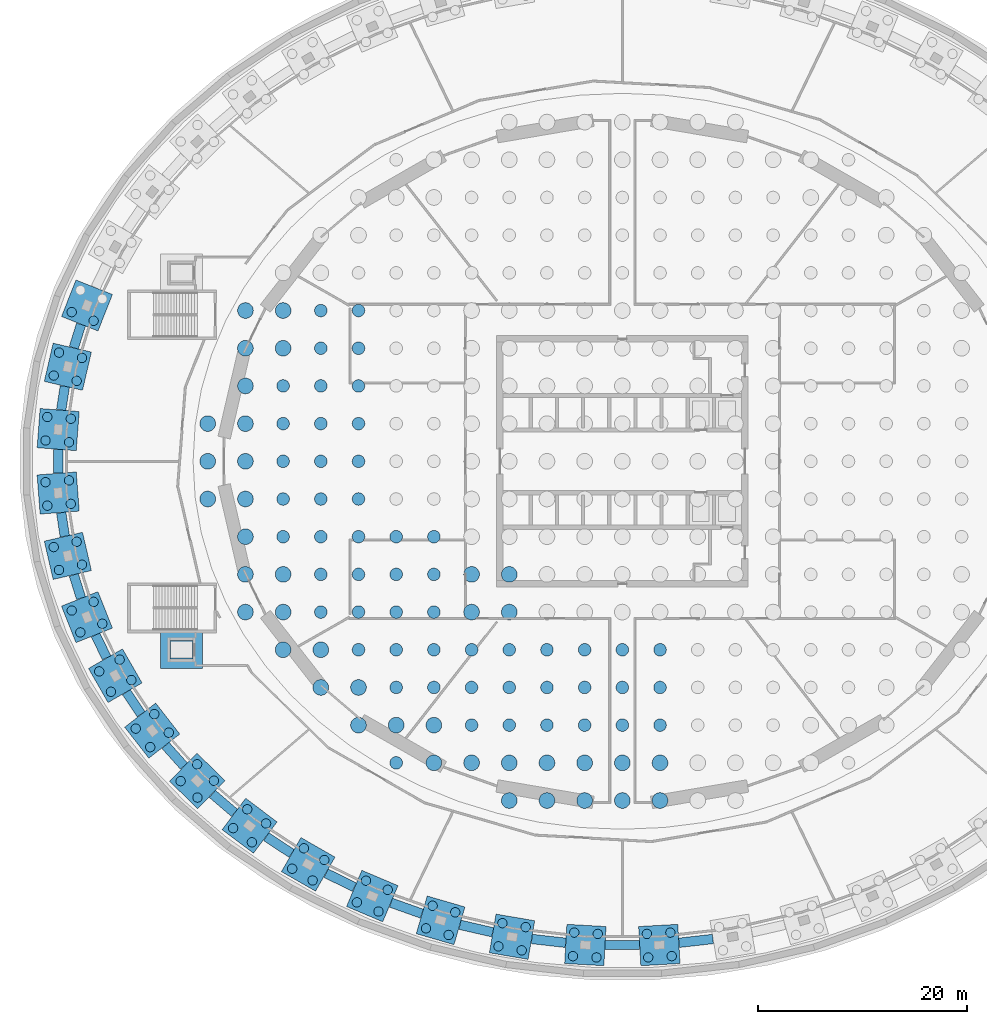
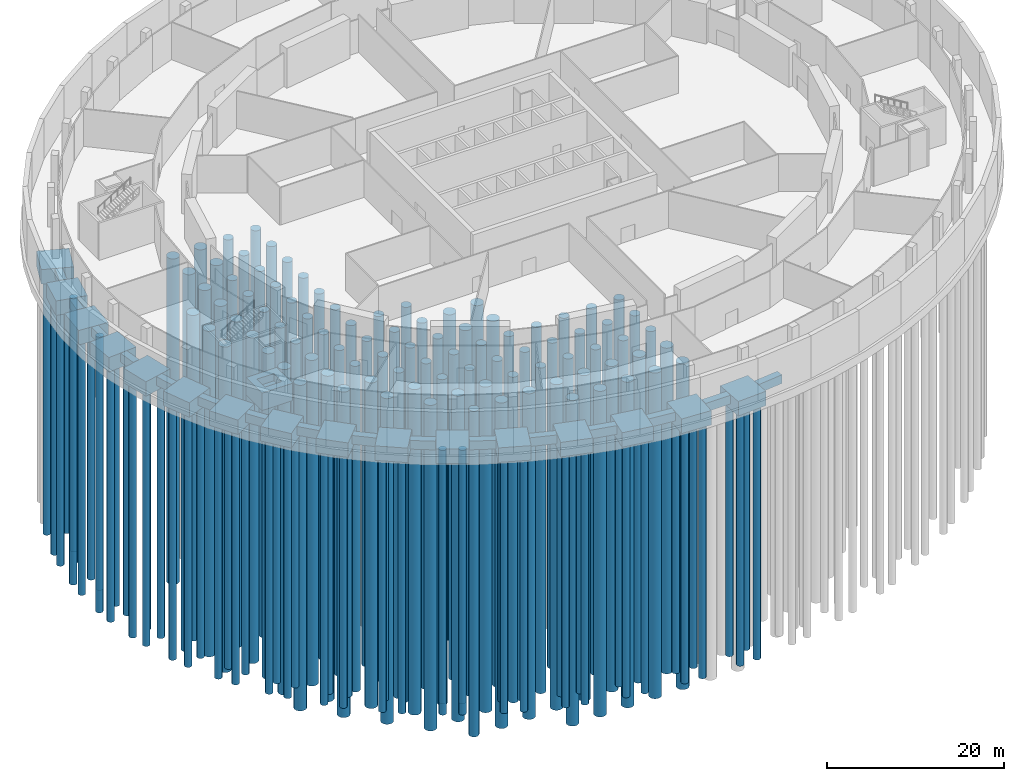
# One storey, part 1 of 15: 154 piles, 34 footings.
"""IFC4 building model written with IfcOpenShell, lengths in metres."""

from ifc_helpers import new_model, si_unit, direction, frame, origin, origin_2d, place, context, subcontext, project, spatial, polyline, rectangle, circle, outline, extrude, material, layer, layer_set, material_profile, profile_set, type_object, element, save


model = new_model("IFC4")

# Units and contexts
model_context = context("Model", 3, precision=1e-05, world=origin(), true_north=direction((0.0, 1.0)))
body_context = subcontext(model_context, "Body", "Model", "MODEL_VIEW")
ifc_project = project(units=[si_unit("LENGTHUNIT", "METRE"), si_unit("AREAUNIT", "SQUARE_METRE"), si_unit("VOLUMEUNIT", "CUBIC_METRE"), si_unit("PLANEANGLEUNIT", "RADIAN"), si_unit("MASSUNIT", "GRAM", prefix="KILO")], contexts=[model_context])

# Site, building, storey
site_placement = place(None, origin())
site = spatial("IfcSite", under=ifc_project, at=site_placement, CompositionType="ELEMENT")
building_placement = place(site_placement, origin())
building = spatial("IfcBuilding", under=site, at=building_placement, Name="Halqa Exchange Tower", CompositionType="ELEMENT")
storey_placement = place(building_placement, frame((0.0, 0.0, -15.0)))
storey = spatial("IfcBuildingStorey", under=building, at=storey_placement, Name="B3", CompositionType="ELEMENT", Elevation=-15.0)

# Piles
ifc_material_1 = material(Name="Concrete C35/45", Category="concrete")
ifc_material_profile_1 = material_profile(ifc_material_1, circle(Radius=0.60009765625, at=origin_2d()), Name="D1200")
ifc_profile_set_1 = profile_set([ifc_material_profile_1], Name="Concrete C35/45")
pile_type_1 = type_object("IfcPileType", Name="Bored pile D1200", PredefinedType="BORED", material=ifc_profile_set_1)
for number, where, z_axis, x_axis, name in (
    (1, (-21.60009765625, -28.800048828125, -4.89990234375), (0.0, 0.0, -1.0), (1.0, 0.0, 0.0), "Raft pile"),
    (2, (-14.39990234375, -25.199951171875, -4.89990234375), (0.0, 0.0, -1.0), (1.0, 0.0, 0.0), "Raft pile"),
    (3, (-10.800048828125, -25.199951171875, -4.89990234375), (0.0, 0.0, -1.0), (1.0, 0.0, 0.0), "Raft pile"),
    (4, (-7.199951171875, -25.199951171875, -4.89990234375), (0.0, 0.0, -1.0), (1.0, 0.0, 0.0), "Raft pile"),
    (5, (-3.60009765625, -25.199951171875, -4.89990234375), (0.0, 0.0, -1.0), (1.0, 0.0, 0.0), "Raft pile"),
    (6, (0.0, -25.199951171875, -4.89990234375), (0.0, 0.0, -1.0), (1.0, 0.0, 0.0), "Raft pile"),
    (7, (3.60009765625, -25.199951171875, -4.89990234375), (0.0, 0.0, -1.0), (1.0, 0.0, 0.0), "Raft pile"),
    (8, (-21.60009765625, -21.60009765625, -4.89990234375), (0.0, 0.0, -1.0), (1.0, 0.0, 0.0), "Raft pile"),
    (9, (-18.0, -21.60009765625, -4.89990234375), (0.0, 0.0, -1.0), (1.0, 0.0, 0.0), "Raft pile"),
    (10, (-14.39990234375, -21.60009765625, -4.89990234375), (0.0, 0.0, -1.0), (1.0, 0.0, 0.0), "Raft pile"),
    (11, (-10.800048828125, -21.60009765625, -4.89990234375), (0.0, 0.0, -1.0), (1.0, 0.0, 0.0), "Raft pile"),
    (12, (-7.199951171875, -21.60009765625, -4.89990234375), (0.0, 0.0, -1.0), (1.0, 0.0, 0.0), "Raft pile"),
    (13, (-3.60009765625, -21.60009765625, -4.89990234375), (0.0, 0.0, -1.0), (1.0, 0.0, 0.0), "Raft pile"),
    (14, (0.0, -21.60009765625, -4.89990234375), (0.0, 0.0, -1.0), (1.0, 0.0, 0.0), "Raft pile"),
    (15, (3.60009765625, -21.60009765625, -4.89990234375), (0.0, 0.0, -1.0), (1.0, 0.0, 0.0), "Raft pile"),
    (16, (-25.199951171875, -18.0, -4.89990234375), (0.0, 0.0, -1.0), (1.0, 0.0, 0.0), "Raft pile"),
    (17, (-21.60009765625, -18.0, -4.89990234375), (0.0, 0.0, -1.0), (1.0, 0.0, 0.0), "Raft pile"),
    (18, (-18.0, -18.0, -4.89990234375), (0.0, 0.0, -1.0), (1.0, 0.0, 0.0), "Raft pile"),
    (19, (-14.39990234375, -18.0, -4.89990234375), (0.0, 0.0, -1.0), (1.0, 0.0, 0.0), "Raft pile"),
    (20, (-10.800048828125, -18.0, -4.89990234375), (0.0, 0.0, -1.0), (1.0, 0.0, 0.0), "Raft pile"),
    (21, (-7.199951171875, -18.0, -4.89990234375), (0.0, 0.0, -1.0), (1.0, 0.0, 0.0), "Raft pile"),
    (22, (-3.60009765625, -18.0, -4.89990234375), (0.0, 0.0, -1.0), (1.0, 0.0, 0.0), "Raft pile"),
    (23, (0.0, -18.0, -4.89990234375), (0.0, 0.0, -1.0), (1.0, 0.0, 0.0), "Raft pile"),
    (24, (3.60009765625, -18.0, -4.89990234375), (0.0, 0.0, -1.0), (1.0, 0.0, 0.0), "Raft pile"),
    (25, (-28.800048828125, -14.39990234375, -4.89990234375), (0.0, 0.0, -1.0), (1.0, 0.0, 0.0), "Raft pile"),
    (26, (-25.199951171875, -14.39990234375, -4.89990234375), (0.0, 0.0, -1.0), (1.0, 0.0, 0.0), "Raft pile"),
    (27, (-21.60009765625, -14.39990234375, -4.89990234375), (0.0, 0.0, -1.0), (1.0, 0.0, 0.0), "Raft pile"),
    (28, (-18.0, -14.39990234375, -4.89990234375), (0.0, 0.0, -1.0), (1.0, 0.0, 0.0), "Raft pile"),
    (29, (-28.800048828125, -10.800048828125, -4.89990234375), (0.0, 0.0, -1.0), (1.0, 0.0, 0.0), "Raft pile"),
    (30, (-25.199951171875, -10.800048828125, -4.89990234375), (0.0, 0.0, -1.0), (1.0, 0.0, 0.0), "Raft pile"),
    (31, (-21.60009765625, -10.800048828125, -4.89990234375), (0.0, 0.0, -1.0), (1.0, 0.0, 0.0), "Raft pile"),
    (32, (-18.0, -10.800048828125, -4.89990234375), (0.0, 0.0, -1.0), (1.0, 0.0, 0.0), "Raft pile"),
    (33, (-32.39990234375, -7.199951171875, -4.89990234375), (0.0, 0.0, -1.0), (1.0, 0.0, 0.0), "Raft pile"),
    (34, (-28.800048828125, -7.199951171875, -4.89990234375), (0.0, 0.0, -1.0), (1.0, 0.0, 0.0), "Raft pile"),
    (35, (-25.199951171875, -7.199951171875, -4.89990234375), (0.0, 0.0, -1.0), (1.0, 0.0, 0.0), "Raft pile"),
    (36, (-21.60009765625, -7.199951171875, -4.89990234375), (0.0, 0.0, -1.0), (1.0, 0.0, 0.0), "Raft pile"),
    (37, (-18.0, -7.199951171875, -4.89990234375), (0.0, 0.0, -1.0), (1.0, 0.0, 0.0), "Raft pile"),
    (38, (-32.39990234375, -3.60009765625, -4.89990234375), (0.0, 0.0, -1.0), (1.0, 0.0, 0.0), "Raft pile"),
    (39, (-28.800048828125, -3.60009765625, -4.89990234375), (0.0, 0.0, -1.0), (1.0, 0.0, 0.0), "Raft pile"),
    (40, (-25.199951171875, -3.60009765625, -4.89990234375), (0.0, 0.0, -1.0), (1.0, 0.0, 0.0), "Raft pile"),
    (41, (-32.39990234375, 0.0, -4.89990234375), (0.0, 0.0, -1.0), (1.0, 0.0, 0.0), "Raft pile"),
    (42, (-28.800048828125, 0.0, -4.89990234375), (0.0, 0.0, -1.0), (1.0, 0.0, 0.0), "Raft pile"),
    (43, (-25.199951171875, 0.0, -4.89990234375), (0.0, 0.0, -1.0), (1.0, 0.0, 0.0), "Raft pile"),
    (44, (-32.39990234375, 3.60009765625, -4.89990234375), (0.0, 0.0, -1.0), (1.0, 0.0, 0.0), "Raft pile"),
    (45, (-28.800048828125, 3.60009765625, -4.89990234375), (0.0, 0.0, -1.0), (1.0, 0.0, 0.0), "Raft pile"),
    (46, (-25.199951171875, 3.60009765625, -4.89990234375), (0.0, 0.0, -1.0), (1.0, 0.0, 0.0), "Raft pile"),
    (47, (-32.39990234375, 7.199951171875, -4.89990234375), (0.0, 0.0, -1.0), (1.0, 0.0, 0.0), "Raft pile"),
    (48, (-28.800048828125, 7.199951171875, -4.89990234375), (0.0, 0.0, -1.0), (1.0, 0.0, 0.0), "Raft pile"),
    (49, (-25.199951171875, 7.199951171875, -4.89990234375), (0.0, 0.0, -1.0), (1.0, 0.0, 0.0), "Raft pile"),
    (50, (-28.800048828125, 10.800048828125, -4.89990234375), (0.0, 0.0, -1.0), (1.0, 0.0, 0.0), "Raft pile"),
    (51, (-25.199951171875, 10.800048828125, -4.89990234375), (0.0, 0.0, -1.0), (1.0, 0.0, 0.0), "Raft pile"),
    (52, (-28.800048828125, 14.39990234375, -4.89990234375), (0.0, 0.0, -1.0), (1.0, 0.0, 0.0), "Raft pile"),
    (53, (-25.199951171875, 14.39990234375, -4.89990234375), (0.0, 0.0, -1.0), (1.0, 0.0, 0.0), "Raft pile"),
):
    element("IfcPile", number, at=place(storey_placement, frame(where, z_axis=z_axis, x_axis=x_axis)), inside=storey, type_object=pile_type_1, Name=name, PredefinedType="BORED", context=body_context, shape_type="SweptSolid", body=[
        extrude(circle(Radius=0.60009765625, at=origin_2d()), origin(), (0.0, 0.0, 1.0), 45.0),
    ])
ifc_material_profile_2 = material_profile(ifc_material_1, circle(Radius=0.75, at=origin_2d()), Name="D1500")
ifc_profile_set_2 = profile_set([ifc_material_profile_2], Name="Concrete C35/45")
pile_type_2 = type_object("IfcPileType", Name="Bored pile D1500", PredefinedType="BORED", material=ifc_profile_set_2)
for number, where, z_axis, x_axis, name in (
    (54, (-10.800048828125, -32.39990234375, -4.89990234375), (0.0, 0.0, -1.0), (1.0, 0.0, 0.0), "Raft pile"),
    (55, (-7.199951171875, -32.39990234375, -4.89990234375), (0.0, 0.0, -1.0), (1.0, 0.0, 0.0), "Raft pile"),
    (56, (-3.60009765625, -32.39990234375, -4.89990234375), (0.0, 0.0, -1.0), (1.0, 0.0, 0.0), "Raft pile"),
    (57, (0.0, -32.39990234375, -4.89990234375), (0.0, 0.0, -1.0), (1.0, 0.0, 0.0), "Raft pile"),
    (58, (3.60009765625, -32.39990234375, -4.89990234375), (0.0, 0.0, -1.0), (1.0, 0.0, 0.0), "Raft pile"),
    (59, (-18.0, -28.800048828125, -4.89990234375), (0.0, 0.0, -1.0), (1.0, 0.0, 0.0), "Raft pile"),
    (60, (-14.39990234375, -28.800048828125, -4.89990234375), (0.0, 0.0, -1.0), (1.0, 0.0, 0.0), "Raft pile"),
    (61, (-10.800048828125, -28.800048828125, -4.89990234375), (0.0, 0.0, -1.0), (1.0, 0.0, 0.0), "Raft pile"),
    (62, (-7.199951171875, -28.800048828125, -4.89990234375), (0.0, 0.0, -1.0), (1.0, 0.0, 0.0), "Raft pile"),
    (63, (-3.60009765625, -28.800048828125, -4.89990234375), (0.0, 0.0, -1.0), (1.0, 0.0, 0.0), "Raft pile"),
    (64, (0.0, -28.800048828125, -4.89990234375), (0.0, 0.0, -1.0), (1.0, 0.0, 0.0), "Raft pile"),
    (65, (3.60009765625, -28.800048828125, -4.89990234375), (0.0, 0.0, -1.0), (1.0, 0.0, 0.0), "Raft pile"),
    (66, (-25.199951171875, -25.199951171875, -4.89990234375), (0.0, 0.0, -1.0), (1.0, 0.0, 0.0), "Raft pile"),
    (67, (-21.60009765625, -25.199951171875, -4.89990234375), (0.0, 0.0, -1.0), (1.0, 0.0, 0.0), "Raft pile"),
    (68, (-18.0, -25.199951171875, -4.89990234375), (0.0, 0.0, -1.0), (1.0, 0.0, 0.0), "Raft pile"),
    (69, (-28.800048828125, -21.60009765625, -4.89990234375), (0.0, 0.0, -1.0), (1.0, 0.0, 0.0), "Raft pile"),
    (70, (-25.199951171875, -21.60009765625, -4.89990234375), (0.0, 0.0, -1.0), (1.0, 0.0, 0.0), "Raft pile"),
    (71, (-32.39990234375, -18.0, -4.89990234375), (0.0, 0.0, -1.0), (1.0, 0.0, 0.0), "Raft pile"),
    (72, (-28.800048828125, -18.0, -4.89990234375), (0.0, 0.0, -1.0), (1.0, 0.0, 0.0), "Raft pile"),
    (73, (-36.0, -14.39990234375, -4.89990234375), (0.0, 0.0, -1.0), (1.0, 0.0, 0.0), "Raft pile"),
    (74, (-32.39990234375, -14.39990234375, -4.89990234375), (0.0, 0.0, -1.0), (1.0, 0.0, 0.0), "Raft pile"),
    (75, (-14.39990234375, -14.39990234375, -4.89990234375), (0.0, 0.0, -1.0), (1.0, 0.0, 0.0), "Raft pile"),
    (76, (-10.800048828125, -14.39990234375, -4.89990234375), (0.0, 0.0, -1.0), (1.0, 0.0, 0.0), "Raft pile"),
    (77, (-36.0, -10.800048828125, -4.89990234375), (0.0, 0.0, -1.0), (1.0, 0.0, 0.0), "Raft pile"),
    (78, (-32.39990234375, -10.800048828125, -4.89990234375), (0.0, 0.0, -1.0), (1.0, 0.0, 0.0), "Raft pile"),
    (79, (-14.39990234375, -10.800048828125, -4.89990234375), (0.0, 0.0, -1.0), (1.0, 0.0, 0.0), "Raft pile"),
    (80, (-10.800048828125, -10.800048828125, -4.89990234375), (0.0, 0.0, -1.0), (1.0, 0.0, 0.0), "Raft pile"),
    (81, (-36.0, -7.199951171875, -4.89990234375), (0.0, 0.0, -1.0), (1.0, 0.0, 0.0), "Raft pile"),
    (82, (-39.60009765625, -3.60009765625, -4.89990234375), (0.0, 0.0, -1.0), (1.0, 0.0, 0.0), "Raft pile"),
    (83, (-36.0, -3.60009765625, -4.89990234375), (0.0, 0.0, -1.0), (1.0, 0.0, 0.0), "Raft pile"),
    (84, (-39.60009765625, 0.0, -4.89990234375), (0.0, 0.0, -1.0), (1.0, 0.0, 0.0), "Raft pile"),
    (85, (-36.0, 0.0, -4.89990234375), (0.0, 0.0, -1.0), (1.0, 0.0, 0.0), "Raft pile"),
    (86, (-39.60009765625, 3.60009765625, -4.89990234375), (0.0, 0.0, -1.0), (1.0, 0.0, 0.0), "Raft pile"),
    (87, (-36.0, 3.60009765625, -4.89990234375), (0.0, 0.0, -1.0), (1.0, 0.0, 0.0), "Raft pile"),
    (88, (-36.0, 7.199951171875, -4.89990234375), (0.0, 0.0, -1.0), (1.0, 0.0, 0.0), "Raft pile"),
    (89, (-36.0, 10.800048828125, -4.89990234375), (0.0, 0.0, -1.0), (1.0, 0.0, 0.0), "Raft pile"),
    (90, (-32.39990234375, 10.800048828125, -4.89990234375), (0.0, 0.0, -1.0), (1.0, 0.0, 0.0), "Raft pile"),
    (91, (-36.0, 14.39990234375, -4.89990234375), (0.0, 0.0, -1.0), (1.0, 0.0, 0.0), "Raft pile"),
    (92, (-32.39990234375, 14.39990234375, -4.89990234375), (0.0, 0.0, -1.0), (1.0, 0.0, 0.0), "Raft pile"),
):
    element("IfcPile", number, at=place(storey_placement, frame(where, z_axis=z_axis, x_axis=x_axis)), inside=storey, type_object=pile_type_2, Name=name, PredefinedType="BORED", context=body_context, shape_type="SweptSolid", body=[
        extrude(circle(Radius=0.75, at=origin_2d()), origin(), (0.0, 0.0, 1.0), 45.0),
    ])
ifc_material_profile_3 = material_profile(ifc_material_1, circle(Radius=0.449951171875, at=origin_2d()), Name="D900")
ifc_profile_set_3 = profile_set([ifc_material_profile_3], Name="Concrete C35/45")
pile_type_3 = type_object("IfcPileType", Name="Bored pile D900", PredefinedType="BORED", material=ifc_profile_set_3)
for number, where, z_axis, x_axis, name in (
    (93, (-52.59423828125, 14.250732421875, -2.39990234375), (0.0, 0.0, -1.0), (1.0, 0.0, 0.0), "Cap pile"),
    (94, (-50.502197265625, 13.422607421875, -2.39990234375), (0.0, 0.0, -1.0), (1.0, 0.0, 0.0), "Cap pile"),
    (95, (-53.803955078125, 10.3828125, -2.39990234375), (0.0, 0.0, -1.0), (1.0, 0.0, 0.0), "Cap pile"),
    (96, (-54.3125, 8.191162109375, -2.39990234375), (0.0, 0.0, -1.0), (1.0, 0.0, 0.0), "Cap pile"),
    (97, (-51.6123046875, 9.874267578125, -2.39990234375), (0.0, 0.0, -1.0), (1.0, 0.0, 0.0), "Cap pile"),
    (98, (-52.120849609375, 7.6826171875, -2.39990234375), (0.0, 0.0, -1.0), (1.0, 0.0, 0.0), "Cap pile"),
    (99, (-54.92041015625, 4.235595703125, -2.39990234375), (0.0, 0.0, -1.0), (1.0, 0.0, 0.0), "Cap pile"),
    (100, (-55.091796875, 1.9921875, -2.39990234375), (0.0, 0.0, -1.0), (1.0, 0.0, 0.0), "Cap pile"),
    (101, (-52.677001953125, 4.064208984375, -2.39990234375), (0.0, 0.0, -1.0), (1.0, 0.0, 0.0), "Cap pile"),
    (102, (-52.848388671875, 1.82080078125, -2.39990234375), (0.0, 0.0, -1.0), (1.0, 0.0, 0.0), "Cap pile"),
    (103, (-55.091796875, -1.9921875, -2.39990234375), (0.0, 0.0, -1.0), (1.0, 0.0, 0.0), "Cap pile"),
    (104, (-54.92041015625, -4.235595703125, -2.39990234375), (0.0, 0.0, -1.0), (1.0, 0.0, 0.0), "Cap pile"),
    (105, (-52.848388671875, -1.82080078125, -2.39990234375), (0.0, 0.0, -1.0), (1.0, 0.0, 0.0), "Cap pile"),
    (106, (-52.677001953125, -4.064208984375, -2.39990234375), (0.0, 0.0, -1.0), (1.0, 0.0, 0.0), "Cap pile"),
    (107, (-54.3125, -8.191162109375, -2.39990234375), (0.0, 0.0, -1.0), (1.0, 0.0, 0.0), "Cap pile"),
    (108, (-53.803955078125, -10.3828125, -2.39990234375), (0.0, 0.0, -1.0), (1.0, 0.0, 0.0), "Cap pile"),
    (109, (-52.120849609375, -7.6826171875, -2.39990234375), (0.0, 0.0, -1.0), (1.0, 0.0, 0.0), "Cap pile"),
    (110, (-51.6123046875, -9.874267578125, -2.39990234375), (0.0, 0.0, -1.0), (1.0, 0.0, 0.0), "Cap pile"),
    (111, (-52.59423828125, -14.250732421875, -2.39990234375), (0.0, 0.0, -1.0), (1.0, 0.0, 0.0), "Cap pile"),
    (112, (-51.76611328125, -16.3427734375, -2.39990234375), (0.0, 0.0, -1.0), (1.0, 0.0, 0.0), "Cap pile"),
    (113, (-50.502197265625, -13.422607421875, -2.39990234375), (0.0, 0.0, -1.0), (1.0, 0.0, 0.0), "Cap pile"),
    (114, (-49.674072265625, -15.514404296875, -2.39990234375), (0.0, 0.0, -1.0), (1.0, 0.0, 0.0), "Cap pile"),
    (115, (-49.96728515625, -20.063720703125, -2.39990234375), (0.0, 0.0, -1.0), (1.0, 0.0, 0.0), "Cap pile"),
    (116, (-48.845458984375, -22.01416015625, -2.39990234375), (0.0, 0.0, -1.0), (1.0, 0.0, 0.0), "Cap pile"),
    (117, (-48.016845703125, -18.94189453125, -2.39990234375), (0.0, 0.0, -1.0), (1.0, 0.0, 0.0), "Cap pile"),
    (118, (-46.89501953125, -20.892333984375, -2.39990234375), (0.0, 0.0, -1.0), (1.0, 0.0, 0.0), "Cap pile"),
    (119, (-46.478271484375, -25.527099609375, -2.39990234375), (0.0, 0.0, -1.0), (1.0, 0.0, 0.0), "Cap pile"),
    (120, (-45.09521484375, -27.3017578125, -2.39990234375), (0.0, 0.0, -1.0), (1.0, 0.0, 0.0), "Cap pile"),
    (121, (-44.70361328125, -24.14404296875, -2.39990234375), (0.0, 0.0, -1.0), (1.0, 0.0, 0.0), "Cap pile"),
    (122, (-43.320556640625, -25.918701171875, -2.39990234375), (0.0, 0.0, -1.0), (1.0, 0.0, 0.0), "Cap pile"),
    (123, (-42.190185546875, -30.545654296875, -2.39990234375), (0.0, 0.0, -1.0), (1.0, 0.0, 0.0), "Cap pile"),
    (124, (-40.581298828125, -32.11865234375, -2.39990234375), (0.0, 0.0, -1.0), (1.0, 0.0, 0.0), "Cap pile"),
    (125, (-40.6171875, -28.936767578125, -2.39990234375), (0.0, 0.0, -1.0), (1.0, 0.0, 0.0), "Cap pile"),
    (126, (-39.00830078125, -30.509765625, -2.39990234375), (0.0, 0.0, -1.0), (1.0, 0.0, 0.0), "Cap pile"),
    (127, (-37.179931640625, -35.033203125, -2.39990234375), (0.0, 0.0, -1.0), (1.0, 0.0, 0.0), "Cap pile"),
    (128, (-35.381591796875, -36.385498046875, -2.39990234375), (0.0, 0.0, -1.0), (1.0, 0.0, 0.0), "Cap pile"),
    (129, (-35.827880859375, -33.23486328125, -2.39990234375), (0.0, 0.0, -1.0), (1.0, 0.0, 0.0), "Cap pile"),
    (130, (-34.029296875, -34.587158203125, -2.39990234375), (0.0, 0.0, -1.0), (1.0, 0.0, 0.0), "Cap pile"),
    (131, (-31.5361328125, -38.913818359375, -2.39990234375), (0.0, 0.0, -1.0), (1.0, 0.0, 0.0), "Cap pile"),
    (132, (-29.583984375, -40.032470703125, -2.39990234375), (0.0, 0.0, -1.0), (1.0, 0.0, 0.0), "Cap pile"),
    (133, (-30.417724609375, -36.961669921875, -2.39990234375), (0.0, 0.0, -1.0), (1.0, 0.0, 0.0), "Cap pile"),
    (134, (-28.46533203125, -38.080078125, -2.39990234375), (0.0, 0.0, -1.0), (1.0, 0.0, 0.0), "Cap pile"),
    (135, (-25.35791015625, -42.123291015625, -2.39990234375), (0.0, 0.0, -1.0), (1.0, 0.0, 0.0), "Cap pile"),
    (136, (-23.285400390625, -42.99951171875, -2.39990234375), (0.0, 0.0, -1.0), (1.0, 0.0, 0.0), "Cap pile"),
    (137, (-24.481689453125, -40.05078125, -2.39990234375), (0.0, 0.0, -1.0), (1.0, 0.0, 0.0), "Cap pile"),
    (138, (-22.4091796875, -40.927001953125, -2.39990234375), (0.0, 0.0, -1.0), (1.0, 0.0, 0.0), "Cap pile"),
    (139, (-18.752197265625, -44.608642578125, -2.39990234375), (0.0, 0.0, -1.0), (1.0, 0.0, 0.0), "Cap pile"),
    (140, (-16.591796875, -45.237548828125, -2.39990234375), (0.0, 0.0, -1.0), (1.0, 0.0, 0.0), "Cap pile"),
    (141, (-18.12353515625, -42.4482421875, -2.39990234375), (0.0, 0.0, -1.0), (1.0, 0.0, 0.0), "Cap pile"),
    (142, (-15.963134765625, -43.0771484375, -2.39990234375), (0.0, 0.0, -1.0), (1.0, 0.0, 0.0), "Cap pile"),
    (143, (-11.8330078125, -46.330078125, -2.39990234375), (0.0, 0.0, -1.0), (1.0, 0.0, 0.0), "Cap pile"),
    (144, (-9.614990234375, -46.70849609375, -2.39990234375), (0.0, 0.0, -1.0), (1.0, 0.0, 0.0), "Cap pile"),
    (145, (-11.45458984375, -44.1123046875, -2.39990234375), (0.0, 0.0, -1.0), (1.0, 0.0, 0.0), "Cap pile"),
    (146, (-9.23681640625, -44.490478515625, -2.39990234375), (0.0, 0.0, -1.0), (1.0, 0.0, 0.0), "Cap pile"),
    (147, (-4.718017578125, -47.260986328125, -2.39990234375), (0.0, 0.0, -1.0), (1.0, 0.0, 0.0), "Cap pile"),
    (148, (-2.4716796875, -47.38720703125, -2.39990234375), (0.0, 0.0, -1.0), (1.0, 0.0, 0.0), "Cap pile"),
    (149, (-4.591796875, -45.0146484375, -2.39990234375), (0.0, 0.0, -1.0), (1.0, 0.0, 0.0), "Cap pile"),
    (150, (-2.345458984375, -45.140869140625, -2.39990234375), (0.0, 0.0, -1.0), (1.0, 0.0, 0.0), "Cap pile"),
    (151, (2.4716796875, -47.38720703125, -2.39990234375), (0.0, 0.0, -1.0), (1.0, 0.0, 0.0), "Cap pile"),
    (152, (4.718017578125, -47.260986328125, -2.39990234375), (0.0, 0.0, -1.0), (1.0, 0.0, 0.0), "Cap pile"),
    (153, (2.345458984375, -45.140869140625, -2.39990234375), (0.0, 0.0, -1.0), (1.0, 0.0, 0.0), "Cap pile"),
    (154, (4.591796875, -45.0146484375, -2.39990234375), (0.0, 0.0, -1.0), (1.0, 0.0, 0.0), "Cap pile"),
):
    element("IfcPile", number, at=place(storey_placement, frame(where, z_axis=z_axis, x_axis=x_axis)), inside=storey, type_object=pile_type_3, Name=name, PredefinedType="BORED", context=body_context, shape_type="SweptSolid", body=[
        extrude(circle(Radius=0.449951171875, at=origin_2d()), origin(), (0.0, 0.0, 1.0), 35.0),
    ])

# Footings
ifc_material_2 = material(Name="Concrete C40/50", Category="concrete")
footing_type_1 = type_object("IfcFootingType", Name="Ground beam 900 x 1200", PredefinedType="FOOTING_BEAM", material=ifc_material_2)
footing_1_placement = place(storey_placement, frame((0.0, 0.0, -1.60009765625)))
element("IfcFooting", 155, at=footing_1_placement, inside=storey, type_object=footing_type_1, Name="Ground beam 22", PredefinedType="FOOTING_BEAM", context=body_context, shape_type="SweptSolid", body=[
    extrude(outline(polyline([(-51.271484375, 12.934814453125), (-51.966064453125, 10.712158203125), (-52.8251953125, 10.980712890625), (-52.130615234375, 13.203125), (-51.271484375, 12.934814453125)])), origin(), (0.0, 0.0, 1.0), 1.2001953125),
])
footing_2_placement = place(storey_placement, frame((0.0, 0.0, -1.60009765625)))
element("IfcFooting", 156, at=footing_2_placement, inside=storey, type_object=footing_type_1, Name="Ground beam 23", PredefinedType="FOOTING_BEAM", context=body_context, shape_type="SweptSolid", body=[
    extrude(outline(polyline([(-52.805908203125, 7.0859375), (-53.151123046875, 4.83837890625), (-54.040771484375, 4.974853515625), (-53.695556640625, 7.22265625), (-52.805908203125, 7.0859375)])), origin(), (0.0, 0.0, 1.0), 1.2001953125),
])
footing_3_placement = place(storey_placement, frame((0.0, 0.0, -1.60009765625)))
element("IfcFooting", 157, at=footing_3_placement, inside=storey, type_object=footing_type_1, Name="Ground beam 24", PredefinedType="FOOTING_BEAM", context=body_context, shape_type="SweptSolid", body=[
    extrude(outline(polyline([(-53.434326171875, 1.127685546875), (-53.434326171875, -1.127685546875), (-54.33447265625, -1.127685546875), (-54.33447265625, 1.127685546875), (-53.434326171875, 1.127685546875)])), origin(), (0.0, 0.0, 1.0), 1.2001953125),
])
footing_4_placement = place(storey_placement, frame((0.0, 0.0, -1.60009765625)))
element("IfcFooting", 158, at=footing_4_placement, inside=storey, type_object=footing_type_1, Name="Ground beam 25", PredefinedType="FOOTING_BEAM", context=body_context, shape_type="SweptSolid", body=[
    extrude(outline(polyline([(-53.151123046875, -4.83837890625), (-52.805908203125, -7.0859375), (-53.695556640625, -7.22265625), (-54.040771484375, -4.974853515625), (-53.151123046875, -4.83837890625)])), origin(), (0.0, 0.0, 1.0), 1.2001953125),
])
footing_5_placement = place(storey_placement, frame((0.0, 0.0, -1.60009765625)))
element("IfcFooting", 159, at=footing_5_placement, inside=storey, type_object=footing_type_1, Name="Ground beam 26", PredefinedType="FOOTING_BEAM", context=body_context, shape_type="SweptSolid", body=[
    extrude(outline(polyline([(-51.966064453125, -10.712158203125), (-51.271484375, -12.934814453125), (-52.130615234375, -13.203125), (-52.8251953125, -10.980712890625), (-51.966064453125, -10.712158203125)])), origin(), (0.0, 0.0, 1.0), 1.2001953125),
])
footing_6_placement = place(storey_placement, frame((0.0, 0.0, -1.60009765625)))
element("IfcFooting", 160, at=footing_6_placement, inside=storey, type_object=footing_type_1, Name="Ground beam 27", PredefinedType="FOOTING_BEAM", context=body_context, shape_type="SweptSolid", body=[
    extrude(outline(polyline([(-49.902587890625, -16.397705078125), (-48.852294921875, -18.571533203125), (-49.66259765625, -18.962890625), (-50.712890625, -16.789306640625), (-49.902587890625, -16.397705078125)])), origin(), (0.0, 0.0, 1.0), 1.2001953125),
])
footing_7_placement = place(storey_placement, frame((0.0, 0.0, -1.60009765625)))
element("IfcFooting", 161, at=footing_7_placement, inside=storey, type_object=footing_type_1, Name="Ground beam 28", PredefinedType="FOOTING_BEAM", context=body_context, shape_type="SweptSolid", body=[
    extrude(outline(polyline([(-46.996826171875, -21.802490234375), (-45.587158203125, -23.89599609375), (-46.33349609375, -24.398681640625), (-47.743408203125, -22.30517578125), (-46.996826171875, -21.802490234375)])), origin(), (0.0, 0.0, 1.0), 1.2001953125),
])
footing_8_placement = place(storey_placement, frame((0.0, 0.0, -1.60009765625)))
element("IfcFooting", 162, at=footing_8_placement, inside=storey, type_object=footing_type_1, Name="Ground beam 29", PredefinedType="FOOTING_BEAM", context=body_context, shape_type="SweptSolid", body=[
    extrude(outline(polyline([(-43.29736328125, -26.838134765625), (-41.530517578125, -28.8125), (-42.201171875, -29.41259765625), (-43.968017578125, -27.438232421875), (-43.29736328125, -26.838134765625)])), origin(), (0.0, 0.0, 1.0), 1.2001953125),
])
footing_9_placement = place(storey_placement, frame((0.0, 0.0, -1.60009765625)))
element("IfcFooting", 163, at=footing_9_placement, inside=storey, type_object=footing_type_1, Name="Ground beam 30", PredefinedType="FOOTING_BEAM", context=body_context, shape_type="SweptSolid", body=[
    extrude(outline(polyline([(-38.86474609375, -31.422119140625), (-36.75341796875, -33.232666015625), (-37.339111328125, -33.915771484375), (-39.45068359375, -32.10546875), (-38.86474609375, -31.422119140625)])), origin(), (0.0, 0.0, 1.0), 1.2001953125),
])
footing_10_placement = place(storey_placement, frame((0.0, 0.0, -1.60009765625)))
element("IfcFooting", 164, at=footing_10_placement, inside=storey, type_object=footing_type_1, Name="Ground beam 31", PredefinedType="FOOTING_BEAM", context=body_context, shape_type="SweptSolid", body=[
    extrude(outline(polyline([(-33.771240234375, -35.477783203125), (-31.339599609375, -37.07763671875), (-31.834228515625, -37.829345703125), (-34.265869140625, -36.229736328125), (-33.771240234375, -35.477783203125)])), origin(), (0.0, 0.0, 1.0), 1.2001953125),
])
footing_11_placement = place(storey_placement, frame((0.0, 0.0, -1.60009765625)))
element("IfcFooting", 165, at=footing_11_placement, inside=storey, type_object=footing_type_1, Name="Ground beam 32", PredefinedType="FOOTING_BEAM", context=body_context, shape_type="SweptSolid", body=[
    extrude(outline(polyline([(-28.099853515625, -38.935791015625), (-25.38525390625, -40.27978515625), (-25.784423828125, -41.086181640625), (-28.4990234375, -39.742431640625), (-28.099853515625, -38.935791015625)])), origin(), (0.0, 0.0, 1.0), 1.2001953125),
])
footing_12_placement = place(storey_placement, frame((0.0, 0.0, -1.60009765625)))
element("IfcFooting", 166, at=footing_12_placement, inside=storey, type_object=footing_type_1, Name="Ground beam 33", PredefinedType="FOOTING_BEAM", context=body_context, shape_type="SweptSolid", body=[
    extrude(outline(polyline([(-21.944091796875, -41.736328125), (-18.995849609375, -42.78369140625), (-19.297119140625, -43.631591796875), (-22.245361328125, -42.58447265625), (-21.944091796875, -41.736328125)])), origin(), (0.0, 0.0, 1.0), 1.2001953125),
])
footing_13_placement = place(storey_placement, frame((0.0, 0.0, -1.60009765625)))
element("IfcFooting", 167, at=footing_13_placement, inside=storey, type_object=footing_type_1, Name="Ground beam 34", PredefinedType="FOOTING_BEAM", context=body_context, shape_type="SweptSolid", body=[
    extrude(outline(polyline([(-15.406982421875, -43.829345703125), (-12.283935546875, -44.546875), (-12.485595703125, -45.424072265625), (-15.608642578125, -44.70654296875), (-15.406982421875, -43.829345703125)])), origin(), (0.0, 0.0, 1.0), 1.2001953125),
])
footing_14_placement = place(storey_placement, frame((0.0, 0.0, -1.60009765625)))
element("IfcFooting", 168, at=footing_14_placement, inside=storey, type_object=footing_type_1, Name="Ground beam 35", PredefinedType="FOOTING_BEAM", context=body_context, shape_type="SweptSolid", body=[
    extrude(outline(polyline([(-8.598388671875, -45.176025390625), (-5.3671875, -45.541015625), (-5.46826171875, -46.435302734375), (-8.699462890625, -46.070556640625), (-8.598388671875, -45.176025390625)])), origin(), (0.0, 0.0, 1.0), 1.2001953125),
])
footing_15_placement = place(storey_placement, frame((0.0, 0.0, -1.60009765625)))
element("IfcFooting", 169, at=footing_15_placement, inside=storey, type_object=footing_type_1, Name="Ground beam 36", PredefinedType="FOOTING_BEAM", context=body_context, shape_type="SweptSolid", body=[
    extrude(outline(polyline([(-1.6337890625, -45.7509765625), (1.6337890625, -45.7509765625), (1.6337890625, -46.65087890625), (-1.6337890625, -46.65087890625), (-1.6337890625, -45.7509765625)])), origin(), (0.0, 0.0, 1.0), 1.2001953125),
])
footing_16_placement = place(storey_placement, frame((0.0, 0.0, -1.60009765625)))
element("IfcFooting", 170, at=footing_16_placement, inside=storey, type_object=footing_type_1, Name="Ground beam 37", PredefinedType="FOOTING_BEAM", context=body_context, shape_type="SweptSolid", body=[
    extrude(outline(polyline([(5.3671875, -45.541015625), (8.598388671875, -45.176025390625), (8.699462890625, -46.070556640625), (5.46826171875, -46.435302734375), (5.3671875, -45.541015625)])), origin(), (0.0, 0.0, 1.0), 1.2001953125),
])
ifc_layer_1 = layer(ifc_material_2, 1.0)
ifc_layer_set_1 = layer_set([ifc_layer_1], Name="Concrete C40/50")
footing_type_2 = type_object("IfcFootingType", Name="Lift pit base", PredefinedType="PAD_FOOTING", material=ifc_layer_set_1)
footing_17_placement = place(storey_placement, frame((0.0, 0.0, -2.800048828125)))
element("IfcFooting", 171, at=footing_17_placement, inside=storey, type_object=footing_type_2, Name="Lift pit base AL4", PredefinedType="PAD_FOOTING", context=body_context, shape_type="SweptSolid", body=[
    extrude(outline(polyline([(-43.199951171875, -18.89990234375), (-41.0, -18.89990234375), (-41.0, -17.10009765625), (-43.199951171875, -17.10009765625), (-43.199951171875, -18.89990234375)])), origin(), (0.0, 0.0, 1.0), 1.400146484375),
])
ifc_layer_2 = layer(ifc_material_2, 2.39990234375)
ifc_layer_set_2 = layer_set([ifc_layer_2], Name="Concrete C40/50")
footing_type_3 = type_object("IfcFootingType", Name="Lift pit pad", PredefinedType="PAD_FOOTING", material=ifc_layer_set_2)
footing_18_placement = place(storey_placement, frame((0.0, 0.0, -2.800048828125)))
element("IfcFooting", 172, at=footing_18_placement, inside=storey, type_object=footing_type_3, Name="Lift pit pad AL4", PredefinedType="PAD_FOOTING", context=body_context, shape_type="SweptSolid", body=[
    extrude(outline(polyline([(-44.10009765625, -19.800048828125), (-40.10009765625, -19.800048828125), (-40.10009765625, -16.199951171875), (-44.10009765625, -16.199951171875), (-44.10009765625, -19.800048828125)]), holes=[polyline([(-43.199951171875, -18.89990234375), (-41.0, -18.89990234375), (-41.0, -17.10009765625), (-43.199951171875, -17.10009765625), (-43.199951171875, -18.89990234375)])]), origin(), (0.0, 0.0, 1.0), 2.400146484375),
])
footing_type_4 = type_object("IfcFootingType", Name="Pile cap 3750 x 3750 x 2000", PredefinedType="PILE_CAP", material=ifc_material_2)
for number, where, z_axis, x_axis, name in (
    (173, (-51.13427734375, 14.882568359375, -2.39990234375), (0.0, 0.0, 1.0), (-0.368109947744, -0.92978226826, 0.0), "Pile cap 22"),
    (174, (-52.96240234375, 9.03271484375, -2.39990234375), (0.0, 0.0, 1.0), (-0.22599679145, -0.974128046129, 0.0), "Pile cap 23"),
    (175, (-53.884521484375, 3.0283203125, -2.39990234375), (0.0, 0.0, 1.0), (-0.076223065836, -0.997090790367, 0.0), "Pile cap 24"),
    (176, (-53.884521484375, -3.0283203125, -2.39990234375), (0.0, 0.0, 1.0), (0.076223065836, -0.997090790367, 0.0), "Pile cap 25"),
    (177, (-52.96240234375, -9.03271484375, -2.39990234375), (0.0, 0.0, 1.0), (0.22599679145, -0.974128046129, 0.0), "Pile cap 26"),
    (178, (-51.13427734375, -14.882568359375, -2.39990234375), (0.0, 0.0, 1.0), (0.368109947744, -0.92978226826, 0.0), "Pile cap 27"),
    (179, (-48.43115234375, -20.47802734375, -2.39990234375), (0.0, 0.0, 1.0), (0.498569440634, -0.866849763723, 0.0), "Pile cap 28"),
    (180, (-44.8994140625, -25.722900390625, -2.39990234375), (0.0, 0.0, 1.0), (0.614691396063, -0.788767701929, 0.0), "Pile cap 29"),
    (181, (-40.599365234375, -30.527587890625, -2.39990234375), (0.0, 0.0, 1.0), (0.715039055588, -0.699084507755, 0.0), "Pile cap 30"),
    (182, (-35.604736328125, -34.810302734375, -2.39990234375), (0.0, 0.0, 1.0), (0.799260046694, -0.600985339055, 0.0), "Pile cap 31"),
    (183, (-30.000732421875, -38.4970703125, -2.39990234375), (0.0, 0.0, 1.0), (0.867693451459, -0.497099662336, 0.0), "Pile cap 32"),
    (184, (-23.883544921875, -41.525146484375, -2.39990234375), (0.0, 0.0, 1.0), (0.921048160137, -0.389448695861, 0.0), "Pile cap 33"),
    (185, (-17.357666015625, -43.843017578125, -2.39990234375), (0.0, 0.0, 1.0), (0.960157717988, -0.27945868494, 0.0), "Pile cap 34"),
    (186, (-10.534912109375, -45.410400390625, -2.39990234375), (0.0, 0.0, 1.0), (0.985766331194, -0.168121207122, 0.0), "Pile cap 35"),
    (187, (-3.53173828125, -46.200927734375, -2.39990234375), (0.0, 0.0, 1.0), (0.998424745269, -0.056107290394, 0.0), "Pile cap 36"),
    (188, (3.53173828125, -46.200927734375, -2.39990234375), (0.0, 0.0, 1.0), (0.998424745269, 0.056107290394, 0.0), "Pile cap 37"),
):
    element("IfcFooting", number, at=place(storey_placement, frame(where, z_axis=z_axis, x_axis=x_axis)), inside=storey, type_object=footing_type_4, Name=name, PredefinedType="PILE_CAP", context=body_context, shape_type="SweptSolid", body=[
        extrude(rectangle(XDim=3.75, YDim=3.75, at=origin_2d()), origin(), (0.0, 0.0, 1.0), 2.0),
    ])

save(model, "model.ifc")
